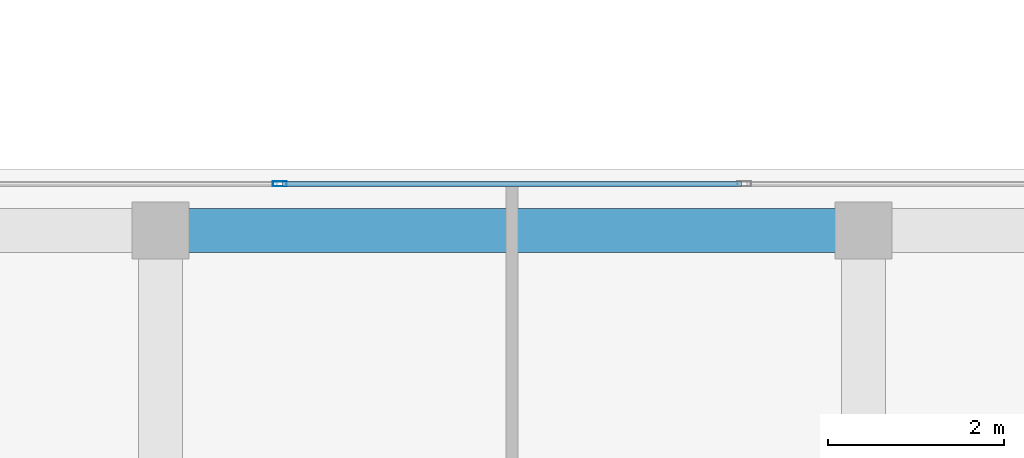
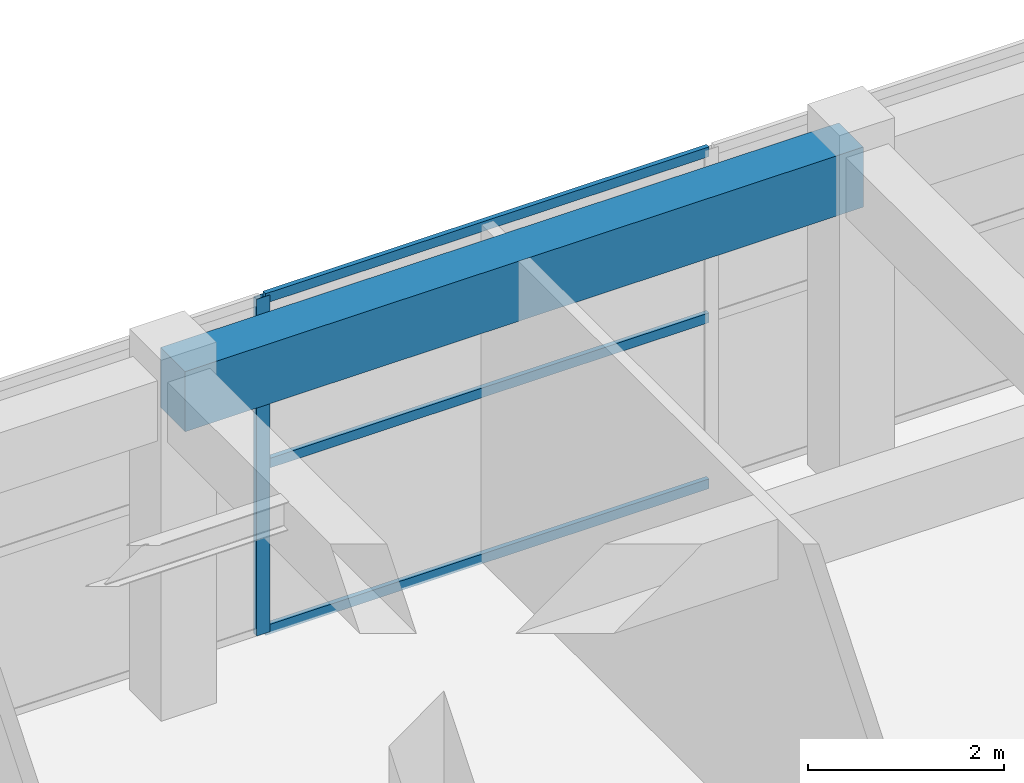
# One storey, part 15 of 26: 4 members, 1 beam, 1 element without a shape of its own.
"""IFC4 building model written with IfcOpenShell, lengths in metres."""

import ifcopenshell
import ifcopenshell.guid

model = None  # the IFC model being written
_history = None  # IfcOwnerHistory: only IFC2X3 demands one
_inside = {}  # id of a spatial element -> (the spatial element, [elements in it])
_under = {}  # id of a project, library or spatial element -> (it, [spatial elements below it])
_declared = {}  # id of a project -> (the project, [libraries it declares])
_typed = {}  # id of a type object -> (the type object, [elements of that type])
_made_of = {}  # id of a material, layer set ... -> (it, [elements and type objects made of it])


def new_model(schema):
    """Start an empty IFC model of exactly this schema.

    Asked for "IFC4X3", IfcOpenShell would pick the latest addendum, in which some entities
    have other attributes; the version numbers below select the first issue.
    IFC2X3 requires an IfcOwnerHistory on every rooted entity: one is made here for all.
    """
    global model, _history
    if schema == "IFC4X3":
        model = ifcopenshell.file(schema_version=(4, 3, 0, 0))
    else:
        model = ifcopenshell.file(schema=schema)
    _inside.clear()
    _under.clear()
    _declared.clear()
    _typed.clear()
    _made_of.clear()
    _history = None
    if model.schema == "IFC2X3":
        org = make("IfcOrganization", Name="unknown")
        user = make(
            "IfcPersonAndOrganization",
            ThePerson=make("IfcPerson", FamilyName="unknown"),
            TheOrganization=org,
        )
        app = make(
            "IfcApplication",
            ApplicationDeveloper=org,
            Version="unknown",
            ApplicationFullName="unknown",
            ApplicationIdentifier="unknown",
        )
        _history = make(
            "IfcOwnerHistory",
            OwningUser=user,
            OwningApplication=app,
            ChangeAction="ADDED",
            CreationDate=0,
        )
    return model


def make(cls, **values):
    """One entity of the class cls with the attributes given. An attribute that is None is left unset."""
    return model.create_entity(
        cls, **{name: value for name, value in values.items() if value is not None}
    )


def rooted(cls, **values):
    """An entity with a GlobalId (a new one), such as an element, a storey or a relation."""
    return make(cls, GlobalId=ifcopenshell.guid.new(), OwnerHistory=_history, **values)


def si_unit(unit_type, name, prefix=None):
    """IfcSIUnit, for example si_unit("LENGTHUNIT", "METRE", prefix="MILLI")."""
    return make("IfcSIUnit", UnitType=unit_type, Prefix=prefix, Name=name)


def assignment(units):
    """IfcUnitAssignment: the units of a project."""
    return None if units is None else make("IfcUnitAssignment", Units=units)


def point(xyz):
    """IfcCartesianPoint."""
    return None if xyz is None else make("IfcCartesianPoint", Coordinates=xyz)


def direction(xyz):
    """IfcDirection."""
    return None if xyz is None else make("IfcDirection", DirectionRatios=xyz)


def frame(location, z_axis=None, x_axis=None):
    """IfcAxis2Placement3D, a coordinate frame: its origin and axes. An axis left out is left unset."""
    return make(
        "IfcAxis2Placement3D",
        Location=point(location),
        Axis=direction(z_axis),
        RefDirection=direction(x_axis),
    )


def frame_2d(location, x_axis=None):
    """IfcAxis2Placement2D, a coordinate frame in the plane: its origin and x axis."""
    return make(
        "IfcAxis2Placement2D", Location=point(location), RefDirection=direction(x_axis)
    )


def origin():
    """The frame at (0, 0, 0) with its axes left unset."""
    return frame((0.0, 0.0, 0.0))


def origin_2d():
    """The frame at (0, 0) in the plane with its x axis left unset."""
    return frame_2d((0.0, 0.0))


def place(relative_to, where):
    """IfcLocalPlacement: puts the frame where relative to a parent placement (None: the world)."""
    return make(
        "IfcLocalPlacement", PlacementRelTo=relative_to, RelativePlacement=where
    )


def context(
    kind, dimensions, precision=None, world=None, true_north=None, identifier=None
):
    """IfcGeometricRepresentationContext, for example the 3D "Model" context."""
    return make(
        "IfcGeometricRepresentationContext",
        ContextIdentifier=identifier,
        ContextType=kind,
        CoordinateSpaceDimension=dimensions,
        Precision=precision,
        WorldCoordinateSystem=world,
        TrueNorth=true_north,
    )


def subcontext(parent, identifier, kind, view, scale=None):
    """IfcGeometricRepresentationSubContext, for example "Body" below "Model"."""
    return make(
        "IfcGeometricRepresentationSubContext",
        ContextIdentifier=identifier,
        ContextType=kind,
        ParentContext=parent,
        TargetScale=scale,
        TargetView=view,
    )


def project(units=None, contexts=None):
    """IfcProject with its units and contexts."""
    return rooted(
        "IfcProject",
        Name="project",
        RepresentationContexts=contexts,
        UnitsInContext=assignment(units),
    )


def spatial(cls, under=None, at=None, **own):
    """A site, building, storey or space (cls), placed at a placement, below another one or the project."""
    s = rooted(cls, ObjectPlacement=at, **own)
    if under is not None:
        _under.setdefault(under.id(), (under, []))[1].append(s)
    return s


def profile(cls, at=None, kind="AREA", **sizes):
    """A parametric profile (cls). Its sizes go by their IFC names, for example OverallWidth=200.0."""
    return make(cls, ProfileType=kind, Position=at, **sizes)


def rectangle(**sizes):
    """IfcRectangleProfileDef."""
    return profile("IfcRectangleProfileDef", **sizes)


def hollow_rectangle(**sizes):
    """IfcRectangleHollowProfileDef."""
    return profile("IfcRectangleHollowProfileDef", **sizes)


def extrude(swept, where, along, depth):
    """IfcExtrudedAreaSolid: the profile swept, set in the frame where, extruded along a direction by depth."""
    return make(
        "IfcExtrudedAreaSolid",
        SweptArea=swept,
        Position=where,
        ExtrudedDirection=direction(along),
        Depth=depth,
    )


def shape(context_of_items, identifier, shape_type, items):
    """IfcShapeRepresentation: the items that make up one representation, for example the "Body"."""
    return make(
        "IfcShapeRepresentation",
        ContextOfItems=context_of_items,
        RepresentationIdentifier=identifier,
        RepresentationType=shape_type,
        Items=items,
    )


def source(mapping_origin, context_of_items, identifier, shape_type, items):
    """IfcRepresentationMap: a shape defined once, which mapped items show again and again."""
    return make(
        "IfcRepresentationMap",
        MappingOrigin=mapping_origin,
        MappedRepresentation=shape(context_of_items, identifier, shape_type, items),
    )


def transform(
    local_origin,
    x_axis=None,
    y_axis=None,
    z_axis=None,
    scale=None,
    scale2=None,
    scale3=None,
    uniform=True,
):
    """IfcCartesianTransformationOperator3D, or its non-uniform kind. x_axis, y_axis, z_axis: its Axis1, 2, 3."""
    if uniform:
        return make(
            "IfcCartesianTransformationOperator3D",
            Axis1=direction(x_axis),
            Axis2=direction(y_axis),
            LocalOrigin=point(local_origin),
            Scale=scale,
            Axis3=direction(z_axis),
        )
    return make(
        "IfcCartesianTransformationOperator3DnonUniform",
        Axis1=direction(x_axis),
        Axis2=direction(y_axis),
        LocalOrigin=point(local_origin),
        Scale=scale,
        Axis3=direction(z_axis),
        Scale2=scale2,
        Scale3=scale3,
    )


def mapped(mapping_source, mapping_target):
    """IfcMappedItem: shows the shape of a source again, moved by a transform."""
    return make(
        "IfcMappedItem", MappingSource=mapping_source, MappingTarget=mapping_target
    )


def material(Name=None, Category=None):
    """IfcMaterial."""
    return make("IfcMaterial", Name=Name, Category=Category)


def layer(
    of_material, thickness, ventilated=None, Name=None, Category=None, Priority=None
):
    """IfcMaterialLayer: one layer of a wall or slab, of a material (None: an air gap)."""
    return make(
        "IfcMaterialLayer",
        Material=of_material,
        LayerThickness=thickness,
        IsVentilated=ventilated,
        Name=Name,
        Category=Category,
        Priority=Priority,
    )


def layer_set(layers, Name=None):
    """IfcMaterialLayerSet."""
    return make("IfcMaterialLayerSet", MaterialLayers=layers, LayerSetName=Name)


def material_profile(
    of_material, cross_section, Name=None, Category=None, Priority=None
):
    """IfcMaterialProfile: a cross section and its material."""
    return make(
        "IfcMaterialProfile",
        Name=Name,
        Material=of_material,
        Profile=cross_section,
        Priority=Priority,
        Category=Category,
    )


def profile_set(profiles, Name=None, composite=None):
    """IfcMaterialProfileSet."""
    return make(
        "IfcMaterialProfileSet",
        Name=Name,
        MaterialProfiles=profiles,
        CompositeProfile=composite,
    )


def made_of(thing, what):
    """Note that an element or type object is made of a material, layer set ...; save() writes the relation."""
    if what is not None:
        _made_of.setdefault(what.id(), (what, []))[1].append(thing)
    return thing


def type_object(cls, material=None, **own):
    """A type object (cls), such as IfcWallType, which elements share."""
    return made_of(rooted(cls, **own), material)


def element(
    cls,
    number,
    at=None,
    inside=None,
    cuts=None,
    type_object=None,
    material=None,
    context=None,
    identifier="Body",
    shape_type=None,
    held_by="IfcProductDefinitionShape",
    body=None,
    shapes=None,
    **own,
):
    """One element of the class cls, such as IfcWall. Its Tag is "e" and its number.

    at: its placement. inside: the storey or other place that contains it. cuts: it is an
    opening in that element (IfcRelVoidsElement). A single representation is given by context,
    identifier, shape_type and body (its items); several are given by shapes. held_by: the class
    of the entity that holds the representations. save() writes the other relations.
    """
    e = rooted(cls, Tag="e%d" % number, ObjectPlacement=at, **own)
    if body is not None:
        shapes = [shape(context, identifier, shape_type, body)]
    if shapes is not None:
        e.Representation = make(held_by, Representations=shapes)
    if inside is not None:
        _inside.setdefault(inside.id(), (inside, []))[1].append(e)
    if cuts is not None:
        rooted(
            "IfcRelVoidsElement", RelatingBuildingElement=cuts, RelatedOpeningElement=e
        )
    if type_object is not None:
        _typed.setdefault(type_object.id(), (type_object, []))[1].append(e)
    return made_of(e, material)


def aggregate(whole, parts):
    """IfcRelAggregates: a whole, such as a stair, and the parts it consists of."""
    return rooted("IfcRelAggregates", RelatingObject=whole, RelatedObjects=parts)


def save(model, path):
    """Write the relations noted so far, then the file.

    IfcRelAggregates (storeys below a building ...), IfcRelContainedInSpatialStructure (elements
    in a storey), IfcRelDefinesByType, IfcRelAssociatesMaterial and IfcRelDeclares: one each for
    every whole, place, type object, material and project.
    """
    for whole, parts in _under.values():
        aggregate(whole, parts)
    for where, things in _inside.values():
        rooted(
            "IfcRelContainedInSpatialStructure",
            RelatedElements=things,
            RelatingStructure=where,
        )
    for kind, things in _typed.values():
        rooted("IfcRelDefinesByType", RelatedObjects=things, RelatingType=kind)
    for what, things in _made_of.values():
        rooted("IfcRelAssociatesMaterial", RelatedObjects=things, RelatingMaterial=what)
    for by, libraries in _declared.values():
        rooted("IfcRelDeclares", RelatingContext=by, RelatedDefinitions=libraries)
    model.write(path)


model = new_model("IFC4")

# Units and contexts
model_context = context("Model", 3, precision=1e-05, world=origin(), true_north=direction((0.0, 1.0)))
body_context = subcontext(model_context, "Body", "Model", "MODEL_VIEW")
ifc_project = project(units=[si_unit("LENGTHUNIT", "METRE"), si_unit("AREAUNIT", "SQUARE_METRE"), si_unit("VOLUMEUNIT", "CUBIC_METRE"), si_unit("PLANEANGLEUNIT", "RADIAN"), si_unit("MASSUNIT", "GRAM", prefix="KILO")], contexts=[model_context])

# Site, building, storey
site_placement = place(None, origin())
site = spatial("IfcSite", under=ifc_project, at=site_placement, CompositionType="ELEMENT")
building_placement = place(site_placement, origin())
building = spatial("IfcBuilding", under=site, at=building_placement, Name="Khoralis Quay Care Tower", CompositionType="ELEMENT")
storey_placement = place(building_placement, frame((0.0, 0.0, 4.5)))
storey = spatial("IfcBuildingStorey", under=building, at=storey_placement, Name="L01", CompositionType="ELEMENT", Elevation=4.5)

# Beam
ifc_material_1 = material(Name="Concrete C40/50", Category="concrete")
ifc_material_profile_1 = material_profile(ifc_material_1, rectangle(XDim=0.5, YDim=0.75, at=origin_2d()), Name="Concrete C40/50")
ifc_profile_set_1 = profile_set([ifc_material_profile_1], Name="Concrete C40/50")
beam_type = type_object("IfcBeamType", Name="BM-RC500X750", PredefinedType="BEAM", material=ifc_profile_set_1)
shared_shape_1 = source(origin(), body_context, "Body", "SweptSolid", [
    extrude(rectangle(XDim=0.5, YDim=0.75, at=origin_2d()), origin(), (0.0, 0.0, 1.0), 8.0),
])
beam_placement = place(storey_placement, frame((84.0, 41.300048828125, 3.824951171875), z_axis=(1.0, 0.0, 0.0), x_axis=(0.0, 1.0, 0.0)))
element("IfcBeam", 1, at=beam_placement, inside=storey, type_object=beam_type, Name="BM-SCX-L01-30", PredefinedType="BEAM", context=body_context, shape_type="MappedRepresentation", body=[
    mapped(shared_shape_1, transform((0.0, 0.0, 0.0), scale=1.0)),
])

# Curtain wall, members
ifc_material_2 = material(Name="Pale anodised aluminium", Category="aluminium")
ifc_layer = layer(ifc_material_2, 0.14990234375)
ifc_layer_set = layer_set([ifc_layer], Name="Pale anodised aluminium")
curtain_wall_type = type_object("IfcCurtainWallType", Name="CW-SYS-SCHOOL", PredefinedType="NOTDEFINED", material=ifc_layer_set)
curtain_wall_placement = place(storey_placement, origin())
curtain_wall = element("IfcCurtainWall", 2, at=curtain_wall_placement, inside=storey, type_object=curtain_wall_type, Name="L01 Unitised Curtain Wall CW-SCH-L01-E3", PredefinedType="NOTDEFINED")
ifc_material_profile_2 = material_profile(ifc_material_2, hollow_rectangle(XDim=0.06005859375, YDim=0.159912109375, WallThickness=0.00390625, at=origin_2d()), Name="Pale anodised aluminium")
ifc_profile_set_2 = profile_set([ifc_material_profile_2], Name="Pale anodised aluminium")
member_type_1 = type_object("IfcMemberType", Name="CW-MUL-160", PredefinedType="MULLION", material=ifc_profile_set_2)
shared_shape_2 = source(origin(), body_context, "Body", "SweptSolid", [
    extrude(hollow_rectangle(XDim=0.06005859375, YDim=0.159912109375, WallThickness=0.00390625, at=origin_2d()), origin(), (0.0, 0.0, 1.0), 4.199951171875),
])
member_1_placement = place(storey_placement, frame((85.35595703125, 41.830078125, 0.0), z_axis=(0.0, 0.0, 1.0), x_axis=(0.0, -1.0, 0.0)))
member_1 = element("IfcMember", 3, at=member_1_placement, type_object=member_type_1, Name="CW6 mullion 3", PredefinedType="MULLION", context=body_context, shape_type="MappedRepresentation", body=[
    mapped(shared_shape_2, transform((0.0, 0.0, 0.0), scale=1.0)),
])
ifc_material_profile_3 = material_profile(ifc_material_2, hollow_rectangle(XDim=0.054931640625, YDim=0.1201171875, WallThickness=0.00390625, at=origin_2d()), Name="Pale anodised aluminium")
ifc_profile_set_3 = profile_set([ifc_material_profile_3], Name="Pale anodised aluminium")
member_type_2 = type_object("IfcMemberType", Name="CW-TRN-120", PredefinedType="USERDEFINED", material=ifc_profile_set_3)
shared_shape_3 = source(origin(), body_context, "Body", "SweptSolid", [
    extrude(hollow_rectangle(XDim=0.054931640625, YDim=0.1201171875, WallThickness=0.00390625, at=origin_2d()), origin(), (0.0, 0.0, 1.0), 5.22802734375),
])
member_2_placement = place(storey_placement, frame((90.614013671875, 41.830078125, 0.030029296875), z_axis=(-1.0, 0.0, 0.0), x_axis=(0.0, -1.0, 0.0)))
member_2 = element("IfcMember", 4, at=member_2_placement, type_object=member_type_2, Name="CW6 transom 2.1", ObjectType="TRANSOM", PredefinedType="USERDEFINED", context=body_context, shape_type="MappedRepresentation", body=[
    mapped(shared_shape_3, transform((0.0, 0.0, 0.0), scale=1.0)),
])
member_3_placement = place(storey_placement, frame((90.614013671875, 41.830078125, 2.10009765625), z_axis=(-1.0, 0.0, 0.0), x_axis=(0.0, -1.0, 0.0)))
member_3 = element("IfcMember", 5, at=member_3_placement, type_object=member_type_2, Name="CW6 transom 2.2", ObjectType="TRANSOM", PredefinedType="USERDEFINED", context=body_context, shape_type="MappedRepresentation", body=[
    mapped(shared_shape_3, transform((0.0, 0.0, 0.0), scale=1.0)),
])
member_4_placement = place(storey_placement, frame((90.614013671875, 41.830078125, 4.169921875), z_axis=(-1.0, 0.0, 0.0), x_axis=(0.0, -1.0, 0.0)))
member_4 = element("IfcMember", 6, at=member_4_placement, type_object=member_type_2, Name="CW6 transom 2.3", ObjectType="TRANSOM", PredefinedType="USERDEFINED", context=body_context, shape_type="MappedRepresentation", body=[
    mapped(shared_shape_3, transform((0.0, 0.0, 0.0), scale=1.0)),
])
aggregate(curtain_wall, [member_1, member_2, member_3, member_4])

save(model, "model.ifc")
